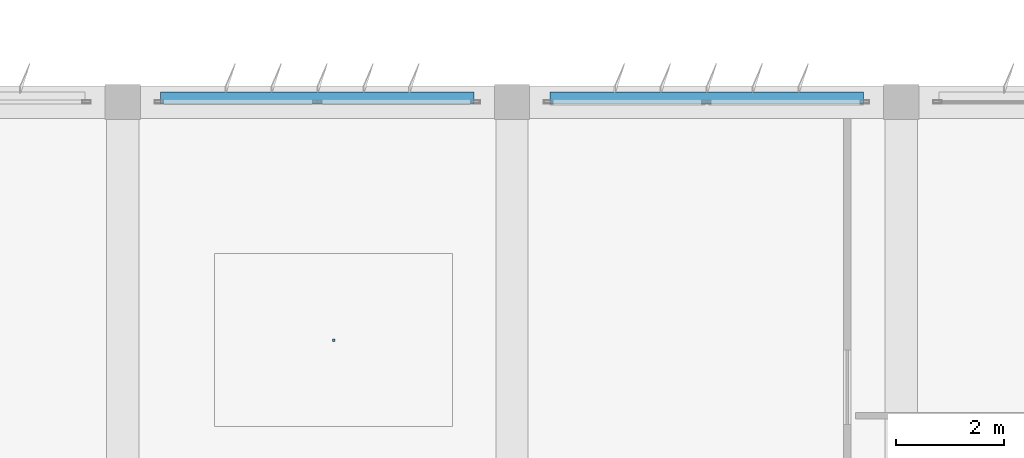
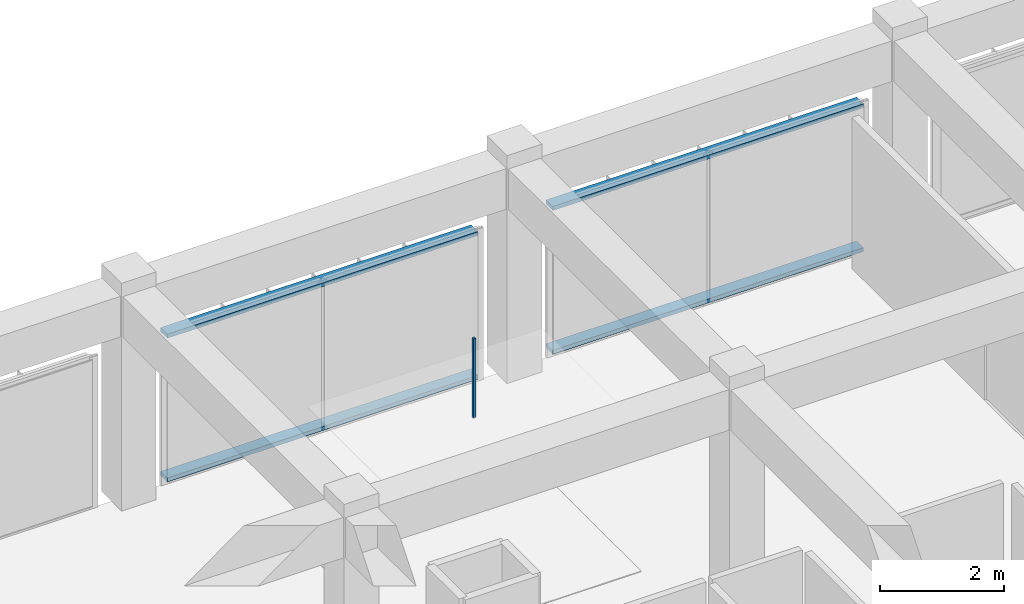
# One storey, part 44 of 56: 5 discrete accessories.
"""IFC4 building model written with IfcOpenShell, lengths in metres."""

from ifc_helpers import new_model, si_unit, direction, frame, origin, origin_2d, place, context, subcontext, project, spatial, rectangle, extrude, material, type_object, element, save


model = new_model("IFC4")

# Units and contexts
model_context = context("Model", 3, precision=1e-05, world=origin(), true_north=direction((0.0, 1.0)))
body_context = subcontext(model_context, "Body", "Model", "MODEL_VIEW")
ifc_project = project(units=[si_unit("LENGTHUNIT", "METRE"), si_unit("AREAUNIT", "SQUARE_METRE"), si_unit("VOLUMEUNIT", "CUBIC_METRE"), si_unit("PLANEANGLEUNIT", "RADIAN"), si_unit("MASSUNIT", "GRAM", prefix="KILO")], contexts=[model_context])

# Site, building, storey
site_placement = place(None, origin())
site = spatial("IfcSite", under=ifc_project, at=site_placement, CompositionType="ELEMENT")
building_placement = place(site_placement, origin())
building = spatial("IfcBuilding", under=site, at=building_placement, Name="Kazehaya Institute of Natural Sciences", CompositionType="ELEMENT")
storey_placement = place(building_placement, frame((0.0, 0.0, 28.800048828125)))
storey = spatial("IfcBuildingStorey", under=building, at=storey_placement, Name="L06", CompositionType="ELEMENT", Elevation=28.800048828125)

# Discrete accessories
ifc_material_1 = material(Name="Aluminium alloy A6063S-T5", Category="aluminium")
discrete_accessory_type_1 = type_object("IfcDiscreteAccessoryType", Name="ACC-BRK-01", PredefinedType="BRACKET", material=ifc_material_1)
for number, where, z_axis, x_axis, name in (
    (1, (87.0, 35.675048828125, 0.039794921875), (0.0, 0.0, 1.0), (1.0, 0.0, 0.0), "L06 fin support outrigger rail 1"),
    (2, (87.0, 35.675048828125, 2.8798828125), (0.0, 0.0, 1.0), (1.0, 0.0, 0.0), "L06 fin support outrigger rail 2"),
    (3, (94.199951171875, 35.675048828125, 0.039794921875), (0.0, 0.0, 1.0), (1.0, 0.0, 0.0), "L06 fin support outrigger rail 1"),
    (4, (94.199951171875, 35.675048828125, 2.8798828125), (0.0, 0.0, 1.0), (1.0, 0.0, 0.0), "L06 fin support outrigger rail 2"),
):
    element("IfcDiscreteAccessory", number, at=place(storey_placement, frame(where, z_axis=z_axis, x_axis=x_axis)), inside=storey, type_object=discrete_accessory_type_1, Name=name, PredefinedType="BRACKET", context=body_context, shape_type="SweptSolid", body=[
        extrude(rectangle(XDim=5.800048828125, YDim=0.219970703125, at=origin_2d()), origin(), (0.0, 0.0, 1.0), 0.080078125),
    ])
ifc_material_2 = material(Name="Structural steel SN490B", Category="steel")
discrete_accessory_type_2 = type_object("IfcDiscreteAccessoryType", Name="ACC-CLG-HGR", PredefinedType="BRACKET", material=ifc_material_2)
discrete_accessory_placement = place(storey_placement, frame((87.302001953125, 31.19580078125, 2.8525390625), z_axis=(0.0, 0.0, 1.0), x_axis=(1.0, 0.0, 0.0)))
element("IfcDiscreteAccessory", 5, at=discrete_accessory_placement, inside=storey, type_object=discrete_accessory_type_2, Name="L06 ceiling suspension hanger 59", PredefinedType="BRACKET", context=body_context, shape_type="SweptSolid", body=[
    extrude(rectangle(XDim=0.050048828125, YDim=0.050048828125, at=origin_2d()), origin(), (0.0, 0.0, 1.0), 1.5673828125),
])

save(model, "model.ifc")
